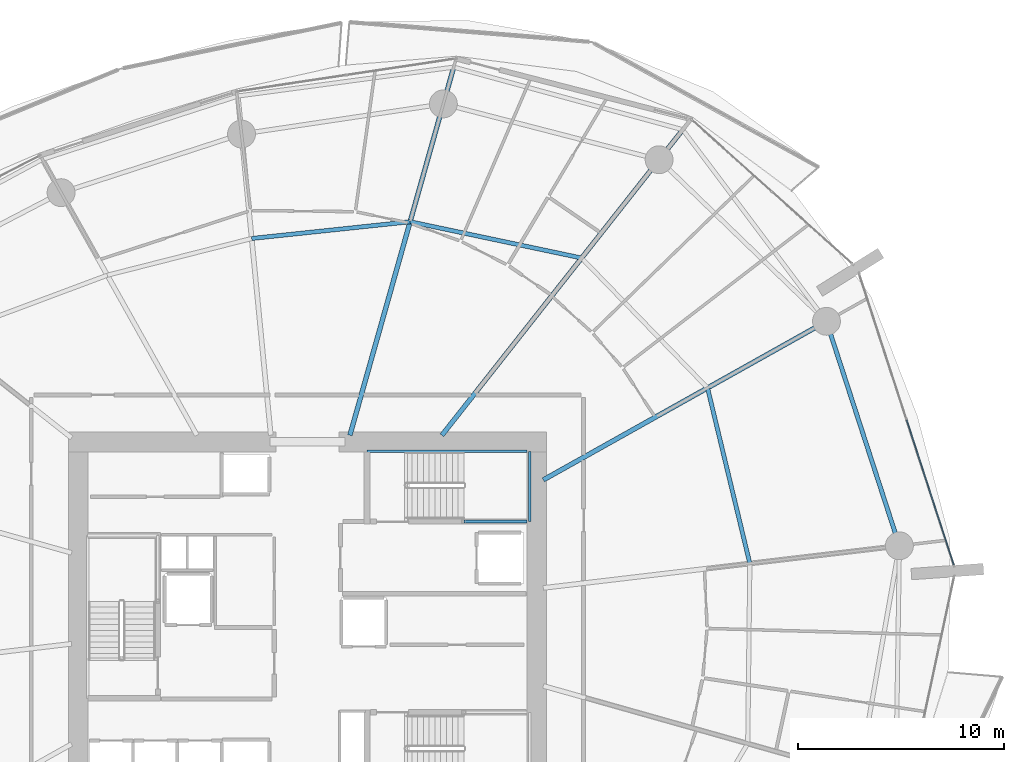
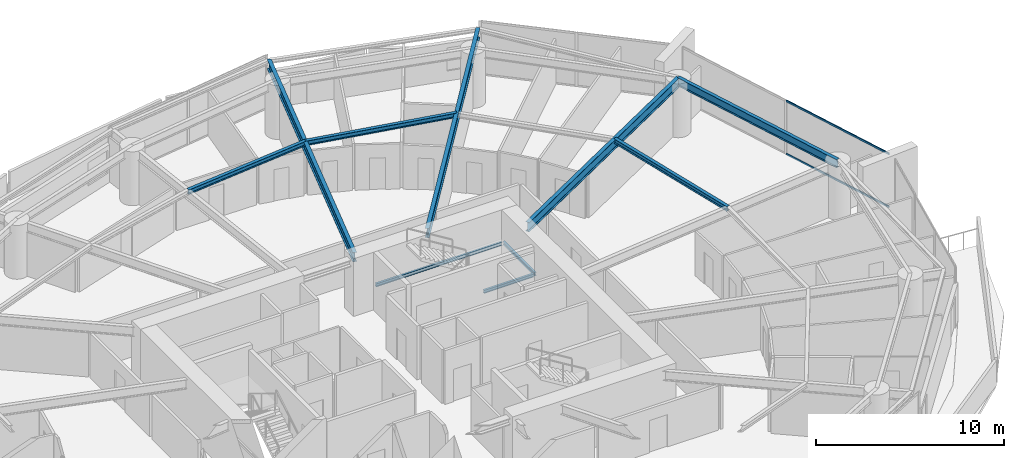
# One storey, part 14 of 30: 10 beams, 2 members, 1 element without a shape of its own.
"""IFC4 building model written with IfcOpenShell, lengths in metres."""

from ifc_helpers import new_model, si_unit, direction, frame, origin, origin_2d, place, context, subcontext, project, spatial, rectangle, i_section, extrude, material, layer, layer_set, material_profile, profile_set, type_object, element, aggregate, save


model = new_model("IFC4")

# Units and contexts
model_context = context("Model", 3, precision=1e-05, world=origin(), true_north=direction((0.0, 1.0)))
body_context = subcontext(model_context, "Body", "Model", "MODEL_VIEW")
ifc_project = project(units=[si_unit("LENGTHUNIT", "METRE"), si_unit("AREAUNIT", "SQUARE_METRE"), si_unit("VOLUMEUNIT", "CUBIC_METRE"), si_unit("PLANEANGLEUNIT", "RADIAN"), si_unit("MASSUNIT", "GRAM", prefix="KILO")], contexts=[model_context])

# Site, building, storey
site_placement = place(None, origin())
site = spatial("IfcSite", under=ifc_project, at=site_placement, CompositionType="ELEMENT")
building_placement = place(site_placement, origin())
building = spatial("IfcBuilding", under=site, at=building_placement, Name="Kazma Halo Residences", CompositionType="ELEMENT")
storey_placement = place(building_placement, frame((0.0, 0.0, 56.39990234375)))
storey = spatial("IfcBuildingStorey", under=building, at=storey_placement, Name="L13", CompositionType="ELEMENT", Elevation=56.39990234375)

# Beams
ifc_material_1 = material(Name="Steel S355", Category="steel")
ifc_material_profile_1 = material_profile(ifc_material_1, i_section(OverallWidth=0.22802734375, OverallDepth=0.60791015625, WebThickness=0.01123046875, FlangeThickness=0.017333984375, FilletRadius=0.01806640625, at=origin_2d()), Name="W610x113")
ifc_profile_set_1 = profile_set([ifc_material_profile_1], Name="Steel S355")
beam_type_1 = type_object("IfcBeamType", Name="BM-RAD-W610", PredefinedType="BEAM", material=ifc_profile_set_1)
beam_1_placement = place(storey_placement, frame((59.85009765625, 48.63623046875, 3.196044921875), z_axis=(0.872489859828, 0.48863221803, 0.0), x_axis=(-0.48863221803, 0.872489859828, 0.0)))
element("IfcBeam", 1, at=beam_1_placement, inside=storey, type_object=beam_type_1, Name="L13 radial floor beam 01", PredefinedType="BEAM", context=body_context, shape_type="SweptSolid", body=[
    extrude(i_section(OverallWidth=0.22802734375, OverallDepth=0.60791015625, WebThickness=0.01123046875, FlangeThickness=0.017333984375, FilletRadius=0.01806640625, at=origin_2d()), origin(), (0.0, 0.0, 1.0), 15.71923828125),
])
beam_2_placement = place(storey_placement, frame((54.9375, 50.800048828125, 3.196044921875), z_axis=(0.619092154321, 0.785318345932, 0.0), x_axis=(-0.785318345932, 0.619092154321, 0.0)))
element("IfcBeam", 2, at=beam_2_placement, inside=storey, type_object=beam_type_1, Name="L13 radial floor beam 02", PredefinedType="BEAM", context=body_context, shape_type="SweptSolid", body=[
    extrude(i_section(OverallWidth=0.22802734375, OverallDepth=0.60791015625, WebThickness=0.01123046875, FlangeThickness=0.017333984375, FilletRadius=0.01806640625, at=origin_2d()), origin(), (0.0, 0.0, 1.0), 18.84375),
])
beam_3_placement = place(storey_placement, frame((50.48193359375, 50.800048828125, 3.196044921875), z_axis=(0.271442010129, 0.962454796412, 0.0), x_axis=(-0.962454796412, 0.271442010129, 0.0)))
element("IfcBeam", 3, at=beam_3_placement, inside=storey, type_object=beam_type_1, Name="L13 radial floor beam 03", PredefinedType="BEAM", context=body_context, shape_type="SweptSolid", body=[
    extrude(i_section(OverallWidth=0.22802734375, OverallDepth=0.60791015625, WebThickness=0.01123046875, FlangeThickness=0.017333984375, FilletRadius=0.01806640625, at=origin_2d()), origin(), (0.0, 0.0, 1.0), 18.525390625),
])
ifc_material_profile_2 = material_profile(ifc_material_1, i_section(OverallWidth=0.202880859375, OverallDepth=0.302978515625, WebThickness=0.007568359375, FlangeThickness=0.01318359375, FilletRadius=0.013916015625, at=origin_2d()), Name="W310x60")
ifc_profile_set_2 = profile_set([ifc_material_profile_2], Name="Steel S355")
beam_type_2 = type_object("IfcBeamType", Name="BM-SEC-W310A", PredefinedType="JOIST", material=ifc_profile_set_2)
beam_4_placement = place(storey_placement, frame((61.703857421875, 59.383056640625, 3.3486328125), z_axis=(-0.97831665719, 0.207114746615, 0.0), x_axis=(-0.207114746615, -0.97831665719, 0.0)))
element("IfcBeam", 4, at=beam_4_placement, inside=storey, type_object=beam_type_2, Name="L13 circumferential floor joist 02", PredefinedType="JOIST", context=body_context, shape_type="SweptSolid", body=[
    extrude(i_section(OverallWidth=0.202880859375, OverallDepth=0.302978515625, WebThickness=0.007568359375, FlangeThickness=0.01318359375, FilletRadius=0.013916015625, at=origin_2d()), origin(), (0.0, 0.0, 1.0), 8.489501953125),
])
beam_5_placement = place(storey_placement, frame((53.3984375, 61.141357421875, 3.3486328125), z_axis=(-0.994456114777, -0.10515244069, 0.0), x_axis=(0.10515244069, -0.994456114777, 0.0)))
element("IfcBeam", 5, at=beam_5_placement, inside=storey, type_object=beam_type_2, Name="L13 circumferential floor joist 03", PredefinedType="JOIST", context=body_context, shape_type="SweptSolid", body=[
    extrude(i_section(OverallWidth=0.202880859375, OverallDepth=0.302978515625, WebThickness=0.007568359375, FlangeThickness=0.01318359375, FilletRadius=0.013916015625, at=origin_2d()), origin(), (0.0, 0.0, 1.0), 7.717529296875),
])
beam_6_placement = place(storey_placement, frame((69.853759765625, 44.586669921875, 3.3486328125), z_axis=(-0.234233116199, 0.972180460242, 0.0), x_axis=(-0.972180460242, -0.234233116199, 0.0)))
element("IfcBeam", 6, at=beam_6_placement, inside=storey, type_object=beam_type_2, Name="L13 circumferential floor joist 16", PredefinedType="JOIST", context=body_context, shape_type="SweptSolid", body=[
    extrude(i_section(OverallWidth=0.202880859375, OverallDepth=0.302978515625, WebThickness=0.007568359375, FlangeThickness=0.01318359375, FilletRadius=0.013916015625, at=origin_2d()), origin(), (0.0, 0.0, 1.0), 8.748046875),
])
ifc_material_profile_3 = material_profile(ifc_material_1, i_section(OverallWidth=0.208984375, OverallDepth=0.532958984375, WebThickness=0.01025390625, FlangeThickness=0.015625, FilletRadius=0.01611328125, at=origin_2d()), Name="W530x92")
ifc_profile_set_3 = profile_set([ifc_material_profile_3], Name="Steel S355")
beam_type_3 = type_object("IfcBeamType", Name="BM-SPN-W530", PredefinedType="BEAM", material=ifc_profile_set_3)
beam_7_placement = place(storey_placement, frame((77.097900390625, 45.444091796875, 3.233642578125), z_axis=(-0.309024264898, 0.951054153928, 0.0), x_axis=(-0.951054153928, -0.309024264898, 0.0)))
element("IfcBeam", 7, at=beam_7_placement, inside=storey, type_object=beam_type_3, Name="L13 perimeter ring beam 16", PredefinedType="BEAM", context=body_context, shape_type="SweptSolid", body=[
    extrude(i_section(OverallWidth=0.208984375, OverallDepth=0.532958984375, WebThickness=0.01025390625, FlangeThickness=0.015625, FilletRadius=0.01611328125, at=origin_2d()), origin(), (0.0, 0.0, 1.0), 11.4326171875),
])
ifc_material_profile_4 = material_profile(ifc_material_1, i_section(OverallWidth=0.133056640625, OverallDepth=0.20703125, WebThickness=0.005859375, FlangeThickness=0.00830078125, FilletRadius=0.010009765625, at=origin_2d()), Name="W200x26.6")
ifc_profile_set_4 = profile_set([ifc_material_profile_4], Name="Steel S355")
beam_type_4 = type_object("IfcBeamType", Name="BM-TRIM-W200", PredefinedType="BEAM", material=ifc_profile_set_4)
beam_8_placement = place(storey_placement, frame((51.31005859375, 50.02001953125, 1.570068359375), z_axis=(1.0, 0.0, 0.0), x_axis=(0.0, 1.0, 0.0)))
element("IfcBeam", 8, at=beam_8_placement, inside=storey, type_object=beam_type_4, Name="L13 ST-02 landing north wall ledger", PredefinedType="BEAM", context=body_context, shape_type="SweptSolid", body=[
    extrude(i_section(OverallWidth=0.133056640625, OverallDepth=0.20703125, WebThickness=0.005859375, FlangeThickness=0.00830078125, FilletRadius=0.010009765625, at=origin_2d()), origin(), (0.0, 0.0, 1.0), 7.760009765625),
])
beam_9_placement = place(storey_placement, frame((56.0, 46.6201171875, 1.570068359375), z_axis=(1.0, 0.0, 0.0), x_axis=(0.0, 1.0, 0.0)))
element("IfcBeam", 9, at=beam_9_placement, inside=storey, type_object=beam_type_4, Name="L13 ST-02 landing south wall ledger", PredefinedType="BEAM", context=body_context, shape_type="SweptSolid", body=[
    extrude(i_section(OverallWidth=0.133056640625, OverallDepth=0.20703125, WebThickness=0.005859375, FlangeThickness=0.00830078125, FilletRadius=0.010009765625, at=origin_2d()), origin(), (0.0, 0.0, 1.0), 3.070068359375),
])
beam_10_placement = place(storey_placement, frame((59.18994140625, 46.6201171875, 1.570068359375), z_axis=(0.0, 1.0, 0.0), x_axis=(-1.0, 0.0, 0.0)))
element("IfcBeam", 10, at=beam_10_placement, inside=storey, type_object=beam_type_4, Name="L13 ST-02 landing end wall ledger", PredefinedType="BEAM", context=body_context, shape_type="SweptSolid", body=[
    extrude(i_section(OverallWidth=0.133056640625, OverallDepth=0.20703125, WebThickness=0.005859375, FlangeThickness=0.00830078125, FilletRadius=0.010009765625, at=origin_2d()), origin(), (0.0, 0.0, 1.0), 3.39990234375),
])

# Curtain wall, members
ifc_material_2 = material(Name="Aluminium AW-6063 T6 and Triple-Silver Low-E Glass", Category="aluminium")
ifc_layer = layer(ifc_material_2, 0.159912109375)
ifc_layer_set = layer_set([ifc_layer], Name="Aluminium AW-6063 T6 and Triple-Silver Low-E Glass")
curtain_wall_type = type_object("IfcCurtainWallType", Name="CW-SYS-2", PredefinedType="NOTDEFINED", material=ifc_layer_set)
curtain_wall_placement = place(storey_placement, origin())
curtain_wall = element("IfcCurtainWall", 11, at=curtain_wall_placement, inside=storey, type_object=curtain_wall_type, Name="L13 unitised curtain wall B16", PredefinedType="NOTDEFINED")
ifc_material_3 = material(Name="Aluminium AW-6063 T6", Category="aluminium")
ifc_material_profile_5 = material_profile(ifc_material_3, rectangle(XDim=0.06005859375, YDim=0.1201171875, at=origin_2d()), Name="CWT-60x120")
ifc_profile_set_5 = profile_set([ifc_material_profile_5], Name="Aluminium AW-6063 T6")
member_type = type_object("IfcMemberType", Name="CW-SYS-2-TRN", PredefinedType="USERDEFINED", material=ifc_profile_set_5)
member_1_placement = place(storey_placement, frame((79.72900390625, 44.52783203125, 0.030029296875), z_axis=(-0.309034393795, 0.951050862705, 0.0), x_axis=(-0.951050862705, -0.309034393795, 0.0)))
member_1 = element("IfcMember", 12, at=member_1_placement, type_object=member_type, Name="CWS-2 transom 1.1", ObjectType="TRANSOM", PredefinedType="USERDEFINED", context=body_context, shape_type="SweptSolid", body=[
    extrude(rectangle(XDim=0.06005859375, YDim=0.1201171875, at=origin_2d()), origin(), (0.0, 0.0, 1.0), 7.370849609375),
])
member_2_placement = place(storey_placement, frame((79.72900390625, 44.52783203125, 3.47021484375), z_axis=(-0.309034393795, 0.951050862705, 0.0), x_axis=(-0.951050862705, -0.309034393795, 0.0)))
member_2 = element("IfcMember", 13, at=member_2_placement, type_object=member_type, Name="CWS-2 transom 1.2", ObjectType="TRANSOM", PredefinedType="USERDEFINED", context=body_context, shape_type="SweptSolid", body=[
    extrude(rectangle(XDim=0.06005859375, YDim=0.1201171875, at=origin_2d()), origin(), (0.0, 0.0, 1.0), 7.370849609375),
])
aggregate(curtain_wall, [member_1, member_2])

save(model, "model.ifc")
